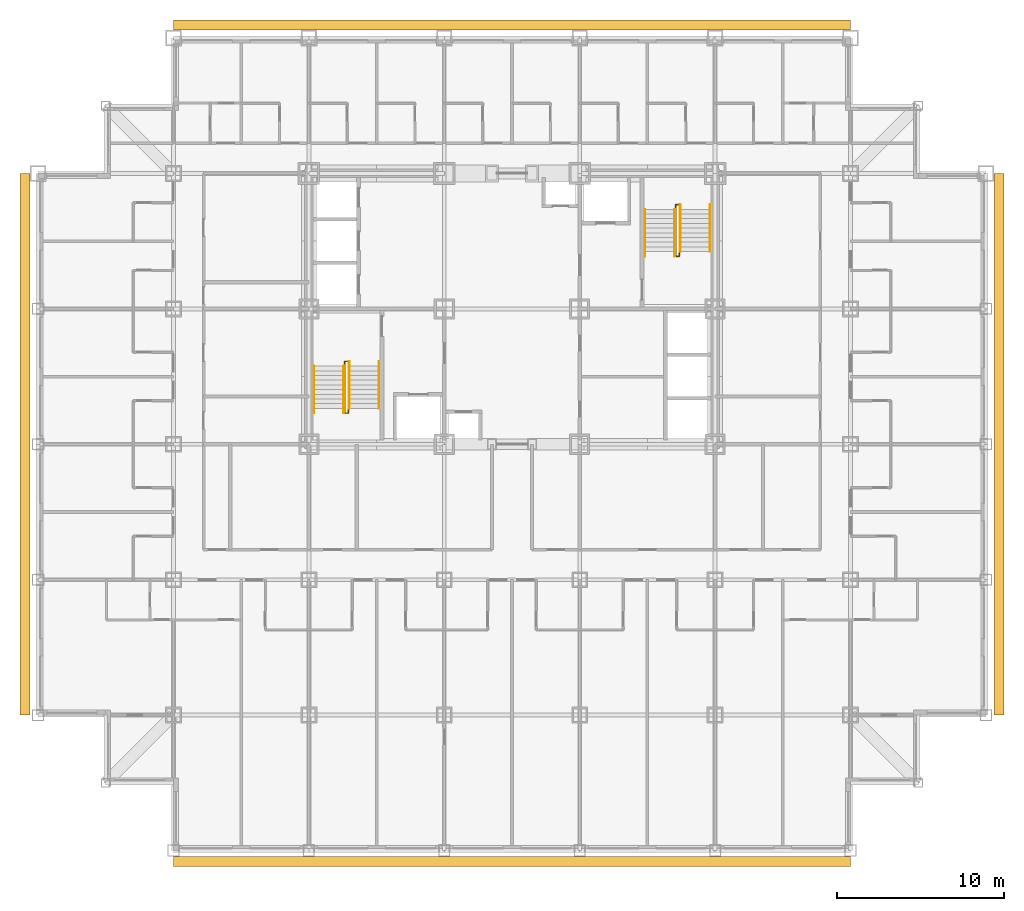
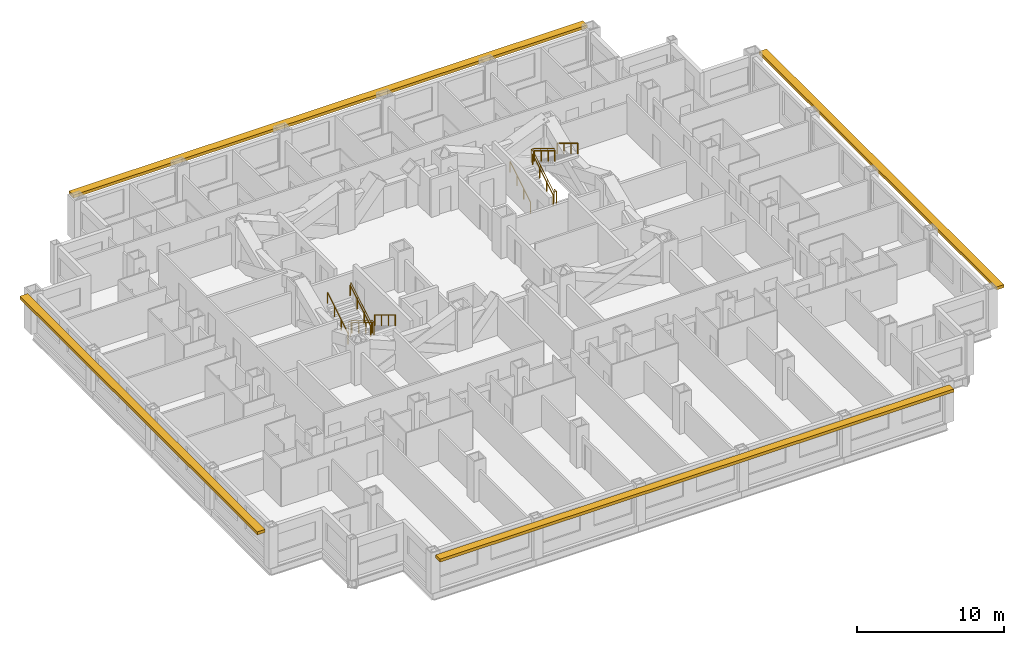
# One storey, part 12 of 12: 10 railings, 4 shading devices.
"""IFC4 building model written with IfcOpenShell, lengths in metres."""

from ifc_helpers import new_model, si_unit, direction, frame, origin, origin_2d, place, context, subcontext, project, spatial, rectangle, circle, extrude, material, type_object, element, save


model = new_model("IFC4")

# Units and contexts
model_context = context("Model", 3, precision=1e-05, world=origin(), true_north=direction((0.0, 1.0)))
body_context = subcontext(model_context, "Body", "Model", "MODEL_VIEW")
ifc_project = project(units=[si_unit("LENGTHUNIT", "METRE"), si_unit("AREAUNIT", "SQUARE_METRE"), si_unit("VOLUMEUNIT", "CUBIC_METRE"), si_unit("PLANEANGLEUNIT", "RADIAN"), si_unit("MASSUNIT", "GRAM", prefix="KILO")], contexts=[model_context])

# Site, building, storey
site_placement = place(None, origin())
site = spatial("IfcSite", under=ifc_project, at=site_placement, CompositionType="ELEMENT")
building_placement = place(site_placement, origin())
building = spatial("IfcBuilding", under=site, at=building_placement, Name="Kopane Lantern Tower", CompositionType="ELEMENT")
storey_placement = place(building_placement, frame((0.0, 0.0, 46.60009765625)))
storey = spatial("IfcBuildingStorey", under=building, at=storey_placement, Name="L10", CompositionType="ELEMENT", Elevation=46.60009765625)

# Railings
ifc_material_1 = material(Name="Steel", Category="steel")
railing_type_1 = type_object("IfcRailingType", Name="STAIR GUARD 1100", PredefinedType="GUARDRAIL", material=ifc_material_1)
railing_1_placement = place(storey_placement, frame((18.35009765625, 28.969970703125, 0.0)))
element("IfcRailing", 1, at=railing_1_placement, inside=storey, type_object=railing_type_1, Name="ST1 well guard L10", PredefinedType="GUARDRAIL", context=body_context, shape_type="SweptSolid", body=[
    extrude(circle(Radius=0.02392578125, at=origin_2d()), frame((0.0, 0.0, 1.076171875), z_axis=(0.0, 1.0, 0.0), x_axis=(-1.0, 0.0, 0.0)), (0.0, 0.0, 1.0), 0.280029296875),
    extrude(circle(Radius=0.02392578125, at=origin_2d()), frame((0.0, 0.280029296875, 1.076171875), z_axis=(1.0, 0.0, 0.0), x_axis=(0.0, 1.0, 0.0)), (0.0, 0.0, 1.0), 0.199951171875),
    extrude(circle(Radius=0.02392578125, at=origin_2d()), frame((0.199951171875, 0.280029296875, 1.076171875), z_axis=(0.0, -0.854798142509, 0.518960630071), x_axis=(1.0, 0.0, 0.0)), (0.0, 0.0, 1.0), 3.275634765625),
    extrude(circle(Radius=0.02392578125, at=origin_2d()), frame((0.199951171875, -2.52001953125, 2.77587890625), z_axis=(0.0, -1.0, 0.0), x_axis=(1.0, 0.0, 0.0)), (0.0, 0.0, 1.0), 0.280029296875),
    extrude(circle(Radius=0.02392578125, at=origin_2d()), frame((0.199951171875, -2.800048828125, 2.77587890625), z_axis=(-1.0, 0.0, 0.0), x_axis=(0.0, -1.0, 0.0)), (0.0, 0.0, 1.0), 0.199951171875),
    extrude(circle(Radius=0.02392578125, at=origin_2d()), frame((0.0, -2.800048828125, 2.77587890625), z_axis=(0.0, 0.854798142509, 0.518960630071), x_axis=(-1.0, 0.0, 0.0)), (0.0, 0.0, 1.0), 3.275634765625),
    extrude(circle(Radius=0.02099609375, at=origin_2d()), origin(), (0.0, 0.0, 1.0), 1.052001953125),
    extrude(circle(Radius=0.02099609375, at=origin_2d()), frame((0.0, 0.280029296875, 0.0)), (0.0, 0.0, 1.0), 1.052001953125),
    extrude(circle(Radius=0.02099609375, at=origin_2d()), frame((0.199951171875, 0.280029296875, 0.0)), (0.0, 0.0, 1.0), 1.052001953125),
    extrude(circle(Radius=0.02099609375, at=origin_2d()), frame((0.199951171875, -0.6533203125, 0.566650390625)), (0.0, 0.0, 1.0), 1.052001953125),
    extrude(circle(Radius=0.02099609375, at=origin_2d()), frame((0.199951171875, -1.586669921875, 1.13330078125)), (0.0, 0.0, 1.0), 1.052001953125),
    extrude(circle(Radius=0.02099609375, at=origin_2d()), frame((0.199951171875, -2.52001953125, 1.699951171875)), (0.0, 0.0, 1.0), 1.052001953125),
    extrude(circle(Radius=0.02099609375, at=origin_2d()), frame((0.199951171875, -2.800048828125, 1.699951171875)), (0.0, 0.0, 1.0), 1.052001953125),
    extrude(circle(Radius=0.02099609375, at=origin_2d()), frame((0.0, -2.800048828125, 1.699951171875)), (0.0, 0.0, 1.0), 1.052001953125),
    extrude(circle(Radius=0.02099609375, at=origin_2d()), frame((0.0, -1.86669921875, 2.2666015625)), (0.0, 0.0, 1.0), 1.052001953125),
    extrude(circle(Radius=0.02099609375, at=origin_2d()), frame((0.0, -0.933349609375, 2.833251953125)), (0.0, 0.0, 1.0), 1.052001953125),
    extrude(circle(Radius=0.02099609375, at=origin_2d()), frame((0.0, 0.0, 3.39990234375)), (0.0, 0.0, 1.0), 1.052001953125),
])
railing_2_placement = place(storey_placement, frame((38.35009765625, 35.830078125, 0.0)))
element("IfcRailing", 2, at=railing_2_placement, inside=storey, type_object=railing_type_1, Name="ST2 well guard L10", PredefinedType="GUARDRAIL", context=body_context, shape_type="SweptSolid", body=[
    extrude(circle(Radius=0.02392578125, at=origin_2d()), frame((0.0, 0.0, 1.076171875), z_axis=(0.0, -1.0, 0.0), x_axis=(1.0, 0.0, 0.0)), (0.0, 0.0, 1.0), 0.280029296875),
    extrude(circle(Radius=0.02392578125, at=origin_2d()), frame((0.0, -0.280029296875, 1.076171875), z_axis=(-1.0, 0.0, 0.0), x_axis=(0.0, -1.0, 0.0)), (0.0, 0.0, 1.0), 0.2001953125),
    extrude(circle(Radius=0.02392578125, at=origin_2d()), frame((-0.2001953125, -0.280029296875, 1.076171875), z_axis=(0.0, 0.854798142509, 0.518960630071), x_axis=(-1.0, 0.0, 0.0)), (0.0, 0.0, 1.0), 3.275634765625),
    extrude(circle(Radius=0.02392578125, at=origin_2d()), frame((-0.2001953125, 2.52001953125, 2.77587890625), z_axis=(0.0, 1.0, 0.0), x_axis=(-1.0, 0.0, 0.0)), (0.0, 0.0, 1.0), 0.27978515625),
    extrude(circle(Radius=0.02392578125, at=origin_2d()), frame((-0.2001953125, 2.7998046875, 2.77587890625), z_axis=(1.0, 0.0, 0.0), x_axis=(0.0, 1.0, 0.0)), (0.0, 0.0, 1.0), 0.2001953125),
    extrude(circle(Radius=0.02392578125, at=origin_2d()), frame((0.0, 2.7998046875, 2.77587890625), z_axis=(0.0, -0.854778067842, 0.518993694313), x_axis=(1.0, 0.0, 0.0)), (0.0, 0.0, 1.0), 3.275390625),
    extrude(circle(Radius=0.02099609375, at=origin_2d()), origin(), (0.0, 0.0, 1.0), 1.052001953125),
    extrude(circle(Radius=0.02099609375, at=origin_2d()), frame((0.0, -0.280029296875, 0.0)), (0.0, 0.0, 1.0), 1.052001953125),
    extrude(circle(Radius=0.02099609375, at=origin_2d()), frame((-0.2001953125, -0.280029296875, 0.0)), (0.0, 0.0, 1.0), 1.052001953125),
    extrude(circle(Radius=0.02099609375, at=origin_2d()), frame((-0.2001953125, 0.6533203125, 0.566650390625)), (0.0, 0.0, 1.0), 1.052001953125),
    extrude(circle(Radius=0.02099609375, at=origin_2d()), frame((-0.2001953125, 1.586669921875, 1.13330078125)), (0.0, 0.0, 1.0), 1.052001953125),
    extrude(circle(Radius=0.02099609375, at=origin_2d()), frame((-0.2001953125, 2.52001953125, 1.699951171875)), (0.0, 0.0, 1.0), 1.052001953125),
    extrude(circle(Radius=0.02099609375, at=origin_2d()), frame((-0.2001953125, 2.7998046875, 1.699951171875)), (0.0, 0.0, 1.0), 1.052001953125),
    extrude(circle(Radius=0.02099609375, at=origin_2d()), frame((0.0, 2.7998046875, 1.699951171875)), (0.0, 0.0, 1.0), 1.052001953125),
    extrude(circle(Radius=0.02099609375, at=origin_2d()), frame((0.0, 1.866455078125, 2.2666015625)), (0.0, 0.0, 1.0), 1.052001953125),
    extrude(circle(Radius=0.02099609375, at=origin_2d()), frame((0.0, 0.933349609375, 2.833251953125)), (0.0, 0.0, 1.0), 1.052001953125),
    extrude(circle(Radius=0.02099609375, at=origin_2d()), frame((0.0, 0.0, 3.39990234375)), (0.0, 0.0, 1.0), 1.052001953125),
])
ifc_material_2 = material(Name="Steel", Category="steel")
railing_type_2 = type_object("IfcRailingType", Name="STAIR HANDRAIL 900", PredefinedType="HANDRAIL", material=ifc_material_2)
for number, where, name in (
    (3, (20.389892578125, 29.25, 0.0), "ST1 handrail L10 flight 1"),
    (4, (18.610107421875, 29.25, 0.0), "ST1 handrail L10 flight 1"),
):
    element("IfcRailing", number, at=place(storey_placement, frame(where)), inside=storey, type_object=railing_type_2, Name=name, PredefinedType="HANDRAIL", context=body_context, shape_type="SweptSolid", body=[
        extrude(circle(Radius=0.02392578125, at=origin_2d()), frame((0.0, 0.0, 0.8759765625), z_axis=(0.0, -0.854798142509, 0.518960630071), x_axis=(1.0, 0.0, 0.0)), (0.0, 0.0, 1.0), 3.275634765625),
        extrude(circle(Radius=0.02099609375, at=origin_2d()), origin(), (0.0, 0.0, 1.0), 0.851806640625),
        extrude(circle(Radius=0.02099609375, at=origin_2d()), frame((0.0, -0.933349609375, 0.566650390625)), (0.0, 0.0, 1.0), 0.851806640625),
        extrude(circle(Radius=0.02099609375, at=origin_2d()), frame((0.0, -1.86669921875, 1.13330078125)), (0.0, 0.0, 1.0), 0.851806640625),
        extrude(circle(Radius=0.02099609375, at=origin_2d()), frame((0.0, -2.800048828125, 1.699951171875)), (0.0, 0.0, 1.0), 0.851806640625),
    ])
for number, where, name in (
    (5, (16.510009765625, 26.169921875, 1.699951171875), "ST1 handrail L10 flight 2"),
    (6, (18.2900390625, 26.169921875, 1.699951171875), "ST1 handrail L10 flight 2"),
    (7, (36.31005859375, 35.550048828125, 0.0), "ST2 handrail L10 flight 1"),
    (8, (38.090087890625, 35.550048828125, 0.0), "ST2 handrail L10 flight 1"),
):
    element("IfcRailing", number, at=place(storey_placement, frame(where)), inside=storey, type_object=railing_type_2, Name=name, PredefinedType="HANDRAIL", context=body_context, shape_type="SweptSolid", body=[
        extrude(circle(Radius=0.02392578125, at=origin_2d()), frame((0.0, 0.0, 0.8759765625), z_axis=(0.0, 0.854798142509, 0.518960630071), x_axis=(-1.0, 0.0, 0.0)), (0.0, 0.0, 1.0), 3.275634765625),
        extrude(circle(Radius=0.02099609375, at=origin_2d()), origin(), (0.0, 0.0, 1.0), 0.851806640625),
        extrude(circle(Radius=0.02099609375, at=origin_2d()), frame((0.0, 0.933349609375, 0.566650390625)), (0.0, 0.0, 1.0), 0.851806640625),
        extrude(circle(Radius=0.02099609375, at=origin_2d()), frame((0.0, 1.86669921875, 1.13330078125)), (0.0, 0.0, 1.0), 0.851806640625),
        extrude(circle(Radius=0.02099609375, at=origin_2d()), frame((0.0, 2.800048828125, 1.699951171875)), (0.0, 0.0, 1.0), 0.851806640625),
    ])
for number, where, name in (
    (9, (40.18994140625, 38.6298828125, 1.699951171875), "ST2 handrail L10 flight 2"),
    (10, (38.409912109375, 38.6298828125, 1.699951171875), "ST2 handrail L10 flight 2"),
):
    element("IfcRailing", number, at=place(storey_placement, frame(where)), inside=storey, type_object=railing_type_2, Name=name, PredefinedType="HANDRAIL", context=body_context, shape_type="SweptSolid", body=[
        extrude(circle(Radius=0.02392578125, at=origin_2d()), frame((0.0, 0.0, 0.8759765625), z_axis=(0.0, -0.854778067842, 0.518993694313), x_axis=(1.0, 0.0, 0.0)), (0.0, 0.0, 1.0), 3.275390625),
        extrude(circle(Radius=0.02099609375, at=origin_2d()), origin(), (0.0, 0.0, 1.0), 0.851806640625),
        extrude(circle(Radius=0.02099609375, at=origin_2d()), frame((0.0, -0.933349609375, 0.566650390625)), (0.0, 0.0, 1.0), 0.851806640625),
        extrude(circle(Radius=0.02099609375, at=origin_2d()), frame((0.0, -1.866455078125, 1.13330078125)), (0.0, 0.0, 1.0), 0.851806640625),
        extrude(circle(Radius=0.02099609375, at=origin_2d()), frame((0.0, -2.7998046875, 1.699951171875)), (0.0, 0.0, 1.0), 0.851806640625),
    ])

# Shading devices
ifc_material_3 = material(Name="Terracotta rainscreen on light steel framing", Category="masonry")
shading_device_type = type_object("IfcShadingDeviceType", Name="SUNSHADE BAND SB1 600 TERRACOTTA", PredefinedType="USERDEFINED", material=ifc_material_3)
shading_device_1_placement = place(storey_placement, frame((28.35009765625, -0.64990234375, 2.89990234375), z_axis=(0.0, 0.0, 1.0), x_axis=(1.0, 0.0, 0.0)))
element("IfcShadingDevice", 11, at=shading_device_1_placement, inside=storey, type_object=shading_device_type, Name="Sunshade band S L10", ObjectType="SUNSHADE BAND", PredefinedType="USERDEFINED", context=body_context, shape_type="SweptSolid", body=[
    extrude(rectangle(XDim=40.5, YDim=0.60009765625, at=origin_2d()), origin(), (0.0, 0.0, 1.0), 0.25),
])
shading_device_2_placement = place(storey_placement, frame((57.47509765625, 24.300048828125, 2.89990234375), z_axis=(0.0, 0.0, 1.0), x_axis=(0.0, 1.0, 0.0)))
element("IfcShadingDevice", 12, at=shading_device_2_placement, inside=storey, type_object=shading_device_type, Name="Sunshade band E L10", ObjectType="SUNSHADE BAND", PredefinedType="USERDEFINED", context=body_context, shape_type="SweptSolid", body=[
    extrude(rectangle(XDim=32.39990234375, YDim=0.60009765625, at=origin_2d()), origin(), (0.0, 0.0, 1.0), 0.25),
])
shading_device_3_placement = place(storey_placement, frame((28.35009765625, 49.375, 2.89990234375), z_axis=(0.0, 0.0, 1.0), x_axis=(-1.0, 0.0, 0.0)))
element("IfcShadingDevice", 13, at=shading_device_3_placement, inside=storey, type_object=shading_device_type, Name="Sunshade band N L10", ObjectType="SUNSHADE BAND", PredefinedType="USERDEFINED", context=body_context, shape_type="SweptSolid", body=[
    extrude(rectangle(XDim=40.5, YDim=0.60009765625, at=origin_2d()), origin(), (0.0, 0.0, 1.0), 0.25),
])
shading_device_4_placement = place(storey_placement, frame((-0.77490234375, 24.300048828125, 2.89990234375), z_axis=(0.0, 0.0, 1.0), x_axis=(0.0, -1.0, 0.0)))
element("IfcShadingDevice", 14, at=shading_device_4_placement, inside=storey, type_object=shading_device_type, Name="Sunshade band W L10", ObjectType="SUNSHADE BAND", PredefinedType="USERDEFINED", context=body_context, shape_type="SweptSolid", body=[
    extrude(rectangle(XDim=32.39990234375, YDim=0.60009765625, at=origin_2d()), origin(), (0.0, 0.0, 1.0), 0.25),
])

save(model, "model.ifc")
